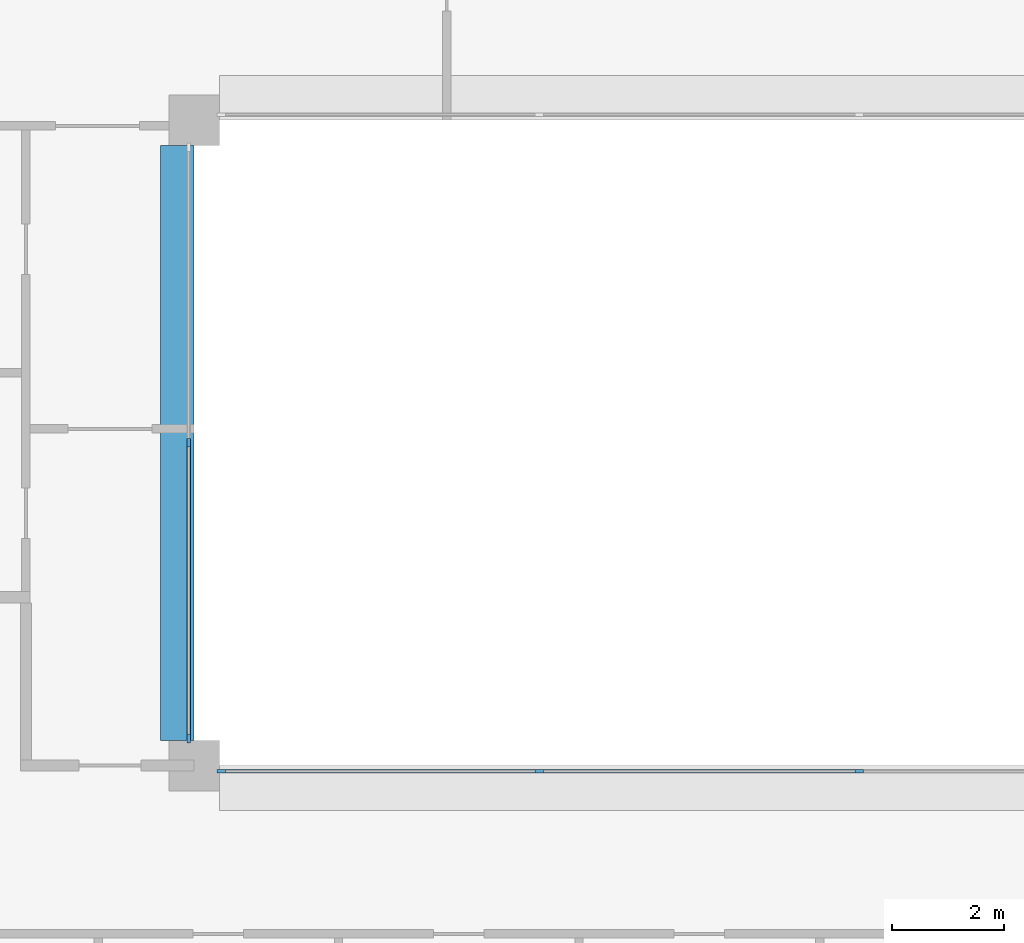
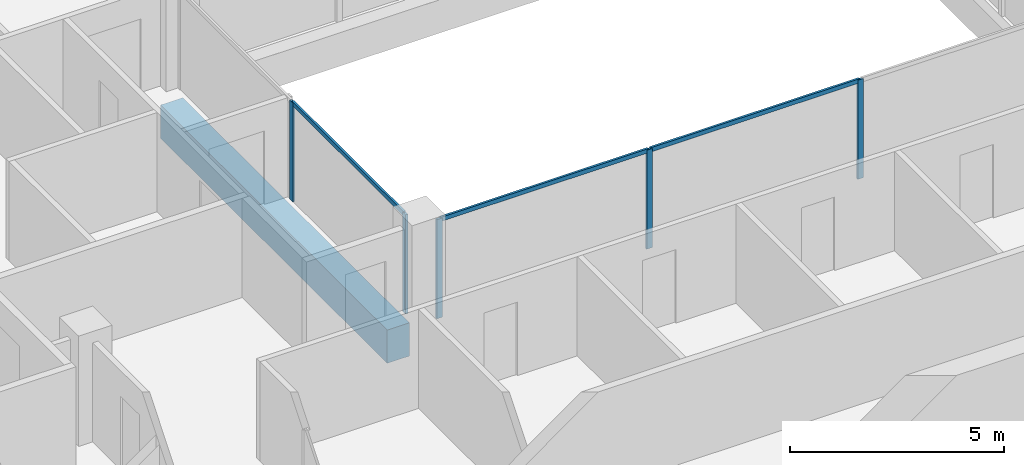
# One storey, part 2 of 15: 8 members, 1 beam, 2 elements without a shape of their own.
"""IFC4 building model written with IfcOpenShell, lengths in metres."""

from ifc_helpers import new_model, si_unit, direction, frame, origin, origin_2d, place, context, subcontext, project, spatial, rectangle, extrude, material, layer, layer_set, material_profile, profile_set, type_object, element, aggregate, save


model = new_model("IFC4")

# Units and contexts
model_context = context("Model", 3, precision=1e-05, world=origin(), true_north=direction((0.0, 1.0)))
body_context = subcontext(model_context, "Body", "Model", "MODEL_VIEW")
ifc_project = project(units=[si_unit("LENGTHUNIT", "METRE"), si_unit("AREAUNIT", "SQUARE_METRE"), si_unit("VOLUMEUNIT", "CUBIC_METRE"), si_unit("PLANEANGLEUNIT", "RADIAN"), si_unit("MASSUNIT", "GRAM", prefix="KILO")], contexts=[model_context])

# Site, building, storey
site_placement = place(None, origin())
site = spatial("IfcSite", under=ifc_project, at=site_placement, CompositionType="ELEMENT")
building_placement = place(site_placement, origin())
building = spatial("IfcBuilding", under=site, at=building_placement, Name="Brigalow Station Residences", CompositionType="ELEMENT")
storey_placement = place(building_placement, frame((0.0, 0.0, 216.89990234375)))
storey = spatial("IfcBuildingStorey", under=building, at=storey_placement, Name="L62", CompositionType="ELEMENT", Elevation=216.89990234375)

# Beam
ifc_material_1 = material(Name="Concrete C65", Category="concrete")
ifc_material_profile_1 = material_profile(ifc_material_1, rectangle(XDim=0.60009765625, YDim=0.949951171875, at=origin_2d()), Name="RC600x950")
ifc_profile_set_1 = profile_set([ifc_material_profile_1], Name="Concrete C65")
beam_type = type_object("IfcBeamType", Name="ATRIUM EDGE GIRDER 600x950 C65", PredefinedType="BEAM", material=ifc_profile_set_1)
beam_placement = place(storey_placement, frame((26.699951171875, 24.449951171875, -0.794921875), z_axis=(0.0, 1.0, 0.0), x_axis=(-1.0, 0.0, 0.0)))
element("IfcBeam", 1, at=beam_placement, inside=storey, type_object=beam_type, Name="ATRIUM EDGE GIRDER 3 L62", PredefinedType="BEAM", context=body_context, shape_type="SweptSolid", body=[
    extrude(rectangle(XDim=0.60009765625, YDim=0.949951171875, at=origin_2d()), origin(), (0.0, 0.0, 1.0), 10.60009765625),
])

# Curtain wall, members
ifc_material_2 = material(Name="Aluminium", Category="aluminium")
ifc_layer = layer(ifc_material_2, 0.14990234375)
ifc_layer_set = layer_set([ifc_layer], Name="ATRIUM FIRE-RATED GLAZING CURTAIN WALL")
curtain_wall_type = type_object("IfcCurtainWallType", Name="ATRIUM FIRE-RATED GLAZING CURTAIN WALL", PredefinedType="NOTDEFINED", material=ifc_layer_set)
curtain_wall_1_placement = place(storey_placement, origin())
curtain_wall_1 = element("IfcCurtainWall", 2, at=curtain_wall_1_placement, inside=storey, type_object=curtain_wall_type, Name="L62/cw/atrium-S", PredefinedType="NOTDEFINED")
ifc_material_3 = material(Name="Aluminium", Category="aluminium")
ifc_material_profile_2 = material_profile(ifc_material_3, rectangle(XDim=0.06005859375, YDim=0.14990234375, at=origin_2d()), Name="ATRIUM FIRE-RATED GLAZING MULLION 60x150")
ifc_profile_set_2 = profile_set([ifc_material_profile_2], Name="Aluminium")
member_type_1 = type_object("IfcMemberType", Name="ATRIUM FIRE-RATED GLAZING MULLION 60x150", PredefinedType="MULLION", material=ifc_profile_set_2)
member_1_placement = place(storey_placement, frame((27.47998046875, 23.89990234375, 0.0), z_axis=(0.0, 0.0, 1.0), x_axis=(0.0, 1.0, 0.0)))
member_1 = element("IfcMember", 3, at=member_1_placement, type_object=member_type_1, Name="L62/cw/atrium-S/M00", PredefinedType="MULLION", context=body_context, shape_type="SweptSolid", body=[
    extrude(rectangle(XDim=0.06005859375, YDim=0.14990234375, at=origin_2d()), origin(), (0.0, 0.0, 1.0), 2.830078125),
])
member_2_placement = place(storey_placement, frame((33.14990234375, 23.89990234375, 0.0), z_axis=(0.0, 0.0, 1.0), x_axis=(0.0, 1.0, 0.0)))
member_2 = element("IfcMember", 4, at=member_2_placement, type_object=member_type_1, Name="L62/cw/atrium-S/M01", PredefinedType="MULLION", context=body_context, shape_type="SweptSolid", body=[
    extrude(rectangle(XDim=0.06005859375, YDim=0.14990234375, at=origin_2d()), origin(), (0.0, 0.0, 1.0), 2.830078125),
])
member_3_placement = place(storey_placement, frame((38.85009765625, 23.89990234375, 0.0), z_axis=(0.0, 0.0, 1.0), x_axis=(0.0, 1.0, 0.0)))
member_3 = element("IfcMember", 5, at=member_3_placement, type_object=member_type_1, Name="L62/cw/atrium-S/M02", PredefinedType="MULLION", context=body_context, shape_type="SweptSolid", body=[
    extrude(rectangle(XDim=0.06005859375, YDim=0.14990234375, at=origin_2d()), origin(), (0.0, 0.0, 1.0), 2.830078125),
])

curtain_wall_2_placement = place(storey_placement, origin())
curtain_wall_2 = element("IfcCurtainWall", 6, at=curtain_wall_2_placement, inside=storey, type_object=curtain_wall_type, Name="L62/cw/atrium-W", PredefinedType="NOTDEFINED")
member_4_placement = place(storey_placement, frame((26.89990234375, 29.75, 0.0), z_axis=(0.0, 0.0, 1.0), x_axis=(1.0, 0.0, 0.0)))
member_4 = element("IfcMember", 7, at=member_4_placement, type_object=member_type_1, Name="L62/cw/atrium-W/M01", PredefinedType="MULLION", context=body_context, shape_type="SweptSolid", body=[
    extrude(rectangle(XDim=0.06005859375, YDim=0.14990234375, at=origin_2d()), origin(), (0.0, 0.0, 1.0), 2.830078125),
])
member_5_placement = place(storey_placement, frame((26.89990234375, 24.47998046875, 0.0), z_axis=(0.0, 0.0, 1.0), x_axis=(1.0, 0.0, 0.0)))
member_5 = element("IfcMember", 8, at=member_5_placement, type_object=member_type_1, Name="L62/cw/atrium-W/M02", PredefinedType="MULLION", context=body_context, shape_type="SweptSolid", body=[
    extrude(rectangle(XDim=0.06005859375, YDim=0.14990234375, at=origin_2d()), origin(), (0.0, 0.0, 1.0), 2.830078125),
])

# Member
ifc_material_4 = material(Name="Aluminium", Category="aluminium")
ifc_material_profile_3 = material_profile(ifc_material_4, rectangle(XDim=0.06005859375, YDim=0.1201171875, at=origin_2d()), Name="ATRIUM FIRE-RATED GLAZING TRANSOM 60x120")
ifc_profile_set_3 = profile_set([ifc_material_profile_3], Name="Aluminium")
member_type_2 = type_object("IfcMemberType", Name="ATRIUM FIRE-RATED GLAZING TRANSOM 60x120", PredefinedType="USERDEFINED", material=ifc_profile_set_3)
member_6_placement = place(storey_placement, frame((27.510009765625, 23.89990234375, 2.800048828125), z_axis=(1.0, 0.0, 0.0), x_axis=(0.0, 1.0, 0.0)))
member_6 = element("IfcMember", 9, at=member_6_placement, type_object=member_type_2, Name="L62/cw/atrium-S/T00-00", ObjectType="TRANSOM", PredefinedType="USERDEFINED", context=body_context, shape_type="SweptSolid", body=[
    extrude(rectangle(XDim=0.06005859375, YDim=0.1201171875, at=origin_2d()), origin(), (0.0, 0.0, 1.0), 5.610107421875),
])

member_7_placement = place(storey_placement, frame((33.179931640625, 23.89990234375, 2.800048828125), z_axis=(1.0, 0.0, 0.0), x_axis=(0.0, 1.0, 0.0)))
member_7 = element("IfcMember", 10, at=member_7_placement, type_object=member_type_2, Name="L62/cw/atrium-S/T01-00", ObjectType="TRANSOM", PredefinedType="USERDEFINED", context=body_context, shape_type="SweptSolid", body=[
    extrude(rectangle(XDim=0.06005859375, YDim=0.1201171875, at=origin_2d()), origin(), (0.0, 0.0, 1.0), 5.64013671875),
])

aggregate(curtain_wall_1, [member_1, member_2, member_3, member_6, member_7])

member_8_placement = place(storey_placement, frame((26.89990234375, 29.719970703125, 2.800048828125), z_axis=(0.0, -1.0, 0.0), x_axis=(1.0, 0.0, 0.0)))
member_8 = element("IfcMember", 11, at=member_8_placement, type_object=member_type_2, Name="L62/cw/atrium-W/T01-00", ObjectType="TRANSOM", PredefinedType="USERDEFINED", context=body_context, shape_type="SweptSolid", body=[
    extrude(rectangle(XDim=0.06005859375, YDim=0.1201171875, at=origin_2d()), origin(), (0.0, 0.0, 1.0), 5.2099609375),
])

aggregate(curtain_wall_2, [member_4, member_5, member_8])

save(model, "model.ifc")
